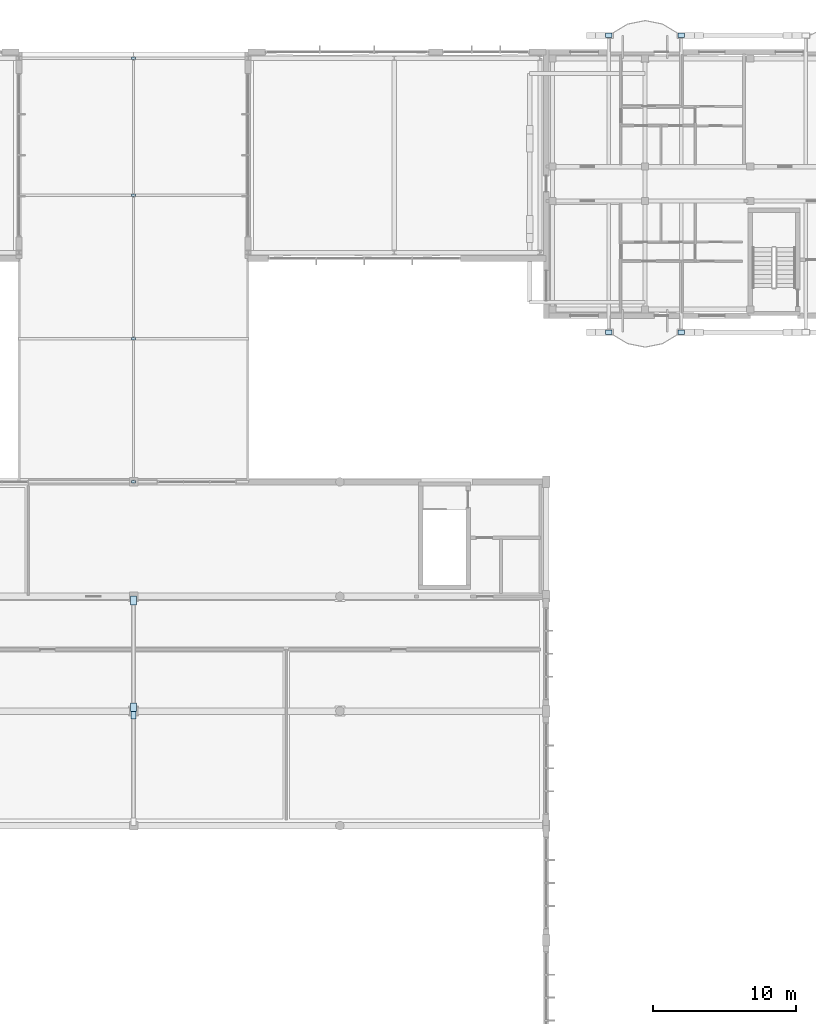
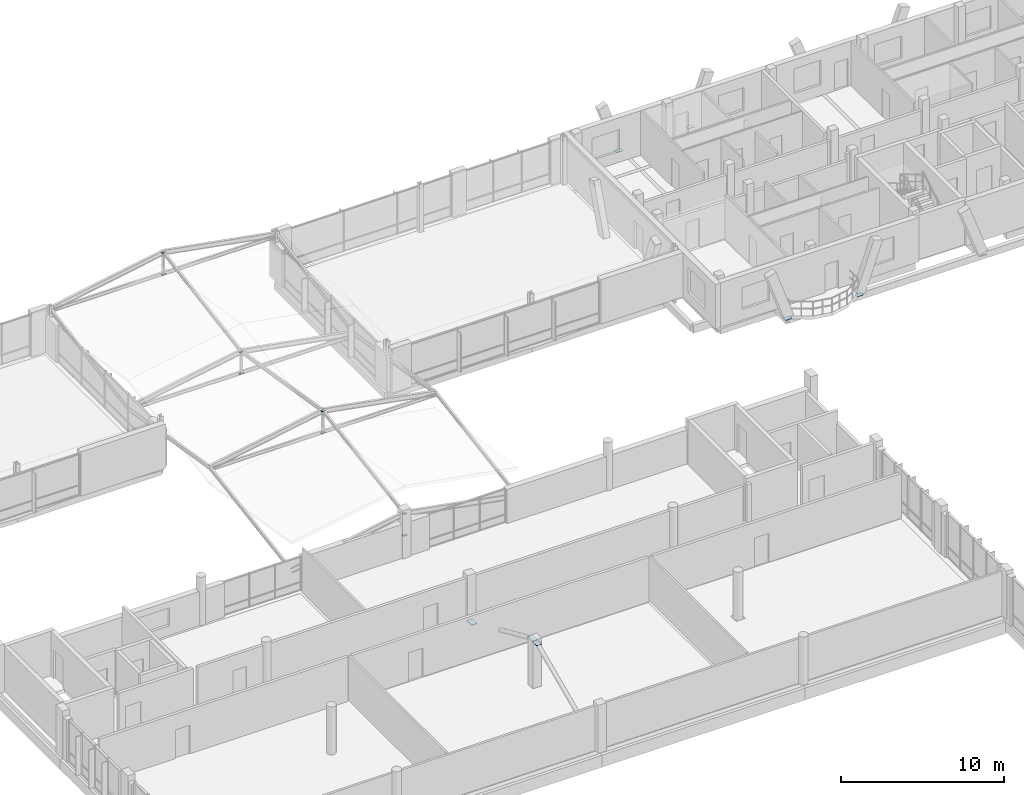
# One storey, part 138 of 189: 15 plates.
"""IFC4 building model written with IfcOpenShell, lengths in metres."""

import ifcopenshell
import ifcopenshell.guid

model = None  # the IFC model being written
_history = None  # IfcOwnerHistory: only IFC2X3 demands one
_inside = {}  # id of a spatial element -> (the spatial element, [elements in it])
_under = {}  # id of a project, library or spatial element -> (it, [spatial elements below it])
_declared = {}  # id of a project -> (the project, [libraries it declares])
_typed = {}  # id of a type object -> (the type object, [elements of that type])
_made_of = {}  # id of a material, layer set ... -> (it, [elements and type objects made of it])


def new_model(schema):
    """Start an empty IFC model of exactly this schema.

    Asked for "IFC4X3", IfcOpenShell would pick the latest addendum, in which some entities
    have other attributes; the version numbers below select the first issue.
    IFC2X3 requires an IfcOwnerHistory on every rooted entity: one is made here for all.
    """
    global model, _history
    if schema == "IFC4X3":
        model = ifcopenshell.file(schema_version=(4, 3, 0, 0))
    else:
        model = ifcopenshell.file(schema=schema)
    _inside.clear()
    _under.clear()
    _declared.clear()
    _typed.clear()
    _made_of.clear()
    _history = None
    if model.schema == "IFC2X3":
        org = make("IfcOrganization", Name="unknown")
        user = make(
            "IfcPersonAndOrganization",
            ThePerson=make("IfcPerson", FamilyName="unknown"),
            TheOrganization=org,
        )
        app = make(
            "IfcApplication",
            ApplicationDeveloper=org,
            Version="unknown",
            ApplicationFullName="unknown",
            ApplicationIdentifier="unknown",
        )
        _history = make(
            "IfcOwnerHistory",
            OwningUser=user,
            OwningApplication=app,
            ChangeAction="ADDED",
            CreationDate=0,
        )
    return model


def make(cls, **values):
    """One entity of the class cls with the attributes given. An attribute that is None is left unset."""
    return model.create_entity(
        cls, **{name: value for name, value in values.items() if value is not None}
    )


def rooted(cls, **values):
    """An entity with a GlobalId (a new one), such as an element, a storey or a relation."""
    return make(cls, GlobalId=ifcopenshell.guid.new(), OwnerHistory=_history, **values)


def si_unit(unit_type, name, prefix=None):
    """IfcSIUnit, for example si_unit("LENGTHUNIT", "METRE", prefix="MILLI")."""
    return make("IfcSIUnit", UnitType=unit_type, Prefix=prefix, Name=name)


def assignment(units):
    """IfcUnitAssignment: the units of a project."""
    return None if units is None else make("IfcUnitAssignment", Units=units)


def point(xyz):
    """IfcCartesianPoint."""
    return None if xyz is None else make("IfcCartesianPoint", Coordinates=xyz)


def direction(xyz):
    """IfcDirection."""
    return None if xyz is None else make("IfcDirection", DirectionRatios=xyz)


def frame(location, z_axis=None, x_axis=None):
    """IfcAxis2Placement3D, a coordinate frame: its origin and axes. An axis left out is left unset."""
    return make(
        "IfcAxis2Placement3D",
        Location=point(location),
        Axis=direction(z_axis),
        RefDirection=direction(x_axis),
    )


def frame_2d(location, x_axis=None):
    """IfcAxis2Placement2D, a coordinate frame in the plane: its origin and x axis."""
    return make(
        "IfcAxis2Placement2D", Location=point(location), RefDirection=direction(x_axis)
    )


def origin():
    """The frame at (0, 0, 0) with its axes left unset."""
    return frame((0.0, 0.0, 0.0))


def origin_2d():
    """The frame at (0, 0) in the plane with its x axis left unset."""
    return frame_2d((0.0, 0.0))


def place(relative_to, where):
    """IfcLocalPlacement: puts the frame where relative to a parent placement (None: the world)."""
    return make(
        "IfcLocalPlacement", PlacementRelTo=relative_to, RelativePlacement=where
    )


def context(
    kind, dimensions, precision=None, world=None, true_north=None, identifier=None
):
    """IfcGeometricRepresentationContext, for example the 3D "Model" context."""
    return make(
        "IfcGeometricRepresentationContext",
        ContextIdentifier=identifier,
        ContextType=kind,
        CoordinateSpaceDimension=dimensions,
        Precision=precision,
        WorldCoordinateSystem=world,
        TrueNorth=true_north,
    )


def subcontext(parent, identifier, kind, view, scale=None):
    """IfcGeometricRepresentationSubContext, for example "Body" below "Model"."""
    return make(
        "IfcGeometricRepresentationSubContext",
        ContextIdentifier=identifier,
        ContextType=kind,
        ParentContext=parent,
        TargetScale=scale,
        TargetView=view,
    )


def project(units=None, contexts=None):
    """IfcProject with its units and contexts."""
    return rooted(
        "IfcProject",
        Name="project",
        RepresentationContexts=contexts,
        UnitsInContext=assignment(units),
    )


def spatial(cls, under=None, at=None, **own):
    """A site, building, storey or space (cls), placed at a placement, below another one or the project."""
    s = rooted(cls, ObjectPlacement=at, **own)
    if under is not None:
        _under.setdefault(under.id(), (under, []))[1].append(s)
    return s


def profile(cls, at=None, kind="AREA", **sizes):
    """A parametric profile (cls). Its sizes go by their IFC names, for example OverallWidth=200.0."""
    return make(cls, ProfileType=kind, Position=at, **sizes)


def rectangle(**sizes):
    """IfcRectangleProfileDef."""
    return profile("IfcRectangleProfileDef", **sizes)


def extrude(swept, where, along, depth):
    """IfcExtrudedAreaSolid: the profile swept, set in the frame where, extruded along a direction by depth."""
    return make(
        "IfcExtrudedAreaSolid",
        SweptArea=swept,
        Position=where,
        ExtrudedDirection=direction(along),
        Depth=depth,
    )


def shape(context_of_items, identifier, shape_type, items):
    """IfcShapeRepresentation: the items that make up one representation, for example the "Body"."""
    return make(
        "IfcShapeRepresentation",
        ContextOfItems=context_of_items,
        RepresentationIdentifier=identifier,
        RepresentationType=shape_type,
        Items=items,
    )


def material(Name=None, Category=None):
    """IfcMaterial."""
    return make("IfcMaterial", Name=Name, Category=Category)


def layer(
    of_material, thickness, ventilated=None, Name=None, Category=None, Priority=None
):
    """IfcMaterialLayer: one layer of a wall or slab, of a material (None: an air gap)."""
    return make(
        "IfcMaterialLayer",
        Material=of_material,
        LayerThickness=thickness,
        IsVentilated=ventilated,
        Name=Name,
        Category=Category,
        Priority=Priority,
    )


def layer_set(layers, Name=None):
    """IfcMaterialLayerSet."""
    return make("IfcMaterialLayerSet", MaterialLayers=layers, LayerSetName=Name)


def made_of(thing, what):
    """Note that an element or type object is made of a material, layer set ...; save() writes the relation."""
    if what is not None:
        _made_of.setdefault(what.id(), (what, []))[1].append(thing)
    return thing


def type_object(cls, material=None, **own):
    """A type object (cls), such as IfcWallType, which elements share."""
    return made_of(rooted(cls, **own), material)


def element(
    cls,
    number,
    at=None,
    inside=None,
    cuts=None,
    type_object=None,
    material=None,
    context=None,
    identifier="Body",
    shape_type=None,
    held_by="IfcProductDefinitionShape",
    body=None,
    shapes=None,
    **own,
):
    """One element of the class cls, such as IfcWall. Its Tag is "e" and its number.

    at: its placement. inside: the storey or other place that contains it. cuts: it is an
    opening in that element (IfcRelVoidsElement). A single representation is given by context,
    identifier, shape_type and body (its items); several are given by shapes. held_by: the class
    of the entity that holds the representations. save() writes the other relations.
    """
    e = rooted(cls, Tag="e%d" % number, ObjectPlacement=at, **own)
    if body is not None:
        shapes = [shape(context, identifier, shape_type, body)]
    if shapes is not None:
        e.Representation = make(held_by, Representations=shapes)
    if inside is not None:
        _inside.setdefault(inside.id(), (inside, []))[1].append(e)
    if cuts is not None:
        rooted(
            "IfcRelVoidsElement", RelatingBuildingElement=cuts, RelatedOpeningElement=e
        )
    if type_object is not None:
        _typed.setdefault(type_object.id(), (type_object, []))[1].append(e)
    return made_of(e, material)


def aggregate(whole, parts):
    """IfcRelAggregates: a whole, such as a stair, and the parts it consists of."""
    return rooted("IfcRelAggregates", RelatingObject=whole, RelatedObjects=parts)


def save(model, path):
    """Write the relations noted so far, then the file.

    IfcRelAggregates (storeys below a building ...), IfcRelContainedInSpatialStructure (elements
    in a storey), IfcRelDefinesByType, IfcRelAssociatesMaterial and IfcRelDeclares: one each for
    every whole, place, type object, material and project.
    """
    for whole, parts in _under.values():
        aggregate(whole, parts)
    for where, things in _inside.values():
        rooted(
            "IfcRelContainedInSpatialStructure",
            RelatedElements=things,
            RelatingStructure=where,
        )
    for kind, things in _typed.values():
        rooted("IfcRelDefinesByType", RelatedObjects=things, RelatingType=kind)
    for what, things in _made_of.values():
        rooted("IfcRelAssociatesMaterial", RelatedObjects=things, RelatingMaterial=what)
    for by, libraries in _declared.values():
        rooted("IfcRelDeclares", RelatingContext=by, RelatedDefinitions=libraries)
    model.write(path)


model = new_model("IFC4")

# Units and contexts
model_context = context("Model", 3, precision=1e-05, world=origin(), true_north=direction((0.0, 1.0)))
body_context = subcontext(model_context, "Body", "Model", "MODEL_VIEW")
ifc_project = project(units=[si_unit("LENGTHUNIT", "METRE"), si_unit("AREAUNIT", "SQUARE_METRE"), si_unit("VOLUMEUNIT", "CUBIC_METRE"), si_unit("PLANEANGLEUNIT", "RADIAN"), si_unit("MASSUNIT", "GRAM", prefix="KILO")], contexts=[model_context])

# Site, building, storey
site_placement = place(None, origin())
site = spatial("IfcSite", under=ifc_project, at=site_placement, CompositionType="ELEMENT")
building_placement = place(site_placement, origin())
building = spatial("IfcBuilding", under=site, at=building_placement, Name="Zavelmont Quarter", CompositionType="ELEMENT")
storey_placement = place(building_placement, frame((0.0, 0.0, 4.39990234375)))
storey = spatial("IfcBuildingStorey", under=building, at=storey_placement, Name="L01", CompositionType="ELEMENT", Elevation=4.39990234375)

# Plates
ifc_material = material(Name="Steel S355", Category="steel")
ifc_layer_1 = layer(ifc_material, 0.02001953125)
ifc_layer_set_1 = layer_set([ifc_layer_1], Name="Steel S355")
plate_type_1 = type_object("IfcPlateType", Name="NP01", PredefinedType="SHEET", material=ifc_layer_set_1)
for number, where, z_axis, x_axis, name in (
    (1, (84.0, 86.0, 1.510009765625), (0.0, 0.0, 1.0), (1.0, 0.0, 0.0), "L01 steel connection plate NP01 at 13/N"),
    (2, (84.0, 86.0, 3.14013671875), (0.0, 0.0, 1.0), (1.0, 0.0, 0.0), "L01 steel connection plate NP01 at 13/N"),
    (3, (84.0, 96.0, 3.130126953125), (0.0, 0.0, 1.0), (1.0, 0.0, 0.0), "L01 steel connection plate NP01 at 13/P"),
    (4, (84.0, 96.0, 4.760009765625), (0.0, 0.0, 1.0), (1.0, 0.0, 0.0), "L01 steel connection plate NP01 at 13/P"),
    (5, (84.0, 106.0, 1.510009765625), (0.0, 0.0, 1.0), (1.0, 0.0, 0.0), "L01 steel connection plate NP01 at 13/Q"),
    (6, (84.0, 106.0, 3.14013671875), (0.0, 0.0, 1.0), (1.0, 0.0, 0.0), "L01 steel connection plate NP01 at 13/Q"),
    (7, (84.0, 115.56005859375, 3.130126953125), (0.0, 0.0, 1.0), (1.0, 0.0, 0.0), "L01 steel connection plate NP01 at 13/S"),
    (8, (84.0, 115.56005859375, 4.760009765625), (0.0, 0.0, 1.0), (1.0, 0.0, 0.0), "L01 steel connection plate NP01 at 13/S"),
):
    element("IfcPlate", number, at=place(storey_placement, frame(where, z_axis=z_axis, x_axis=x_axis)), inside=storey, type_object=plate_type_1, Name=name, PredefinedType="SHEET", context=body_context, shape_type="SweptSolid", body=[
        extrude(rectangle(XDim=0.280029296875, YDim=0.179931640625, at=origin_2d()), origin(), (0.0, 0.0, 1.0), 0.02001953125),
    ])
ifc_layer_2 = layer(ifc_material, 0.02490234375)
ifc_layer_set_2 = layer_set([ifc_layer_2], Name="Steel S355")
plate_type_2 = type_object("IfcPlateType", Name="NP03", PredefinedType="SHEET", material=ifc_layer_set_2)
for number, where, z_axis, x_axis, name in (
    (9, (117.17333984375, 117.162109375, -0.21240234375), (0.0, 0.0, 1.0), (1.0, 0.0, 0.0), "L01 steel connection plate NP03 at 18/S"),
    (10, (122.2265625, 117.162109375, -0.21240234375), (0.0, 0.0, 1.0), (1.0, 0.0, 0.0), "L01 steel connection plate NP03 at 18/S"),
    (11, (117.17333984375, 96.43798828125, -0.21240234375), (0.0, 0.0, 1.0), (1.0, 0.0, 0.0), "L01 steel connection plate NP03 at 18/P"),
    (12, (122.2265625, 96.43798828125, -0.21240234375), (0.0, 0.0, 1.0), (1.0, 0.0, 0.0), "L01 steel connection plate NP03 at 18/P"),
):
    element("IfcPlate", number, at=place(storey_placement, frame(where, z_axis=z_axis, x_axis=x_axis)), inside=storey, type_object=plate_type_2, Name=name, PredefinedType="SHEET", context=body_context, shape_type="SweptSolid", body=[
        extrude(rectangle(XDim=0.43994140625, YDim=0.320068359375, at=origin_2d()), origin(), (0.0, 0.0, 1.0), 0.02490234375),
    ])
ifc_layer_3 = layer(ifc_material, 0.028076171875)
ifc_layer_set_3 = layer_set([ifc_layer_3], Name="Steel S355")
plate_type_3 = type_object("IfcPlateType", Name="NP04", PredefinedType="SHEET", material=ifc_layer_set_3)
plate_placement = place(storey_placement, frame((84.0, 69.719970703125, 3.2958984375), z_axis=(0.0, 0.0, 1.0), x_axis=(0.0, 1.0, 0.0)))
element("IfcPlate", 13, at=plate_placement, inside=storey, type_object=plate_type_3, Name="L01 steel connection plate NP04 at 13/L", PredefinedType="SHEET", context=body_context, shape_type="SweptSolid", body=[
    extrude(rectangle(XDim=0.52001953125, YDim=0.360107421875, at=origin_2d()), origin(), (0.0, 0.0, 1.0), 0.028076171875),
])
ifc_layer_4 = layer(ifc_material, 0.030029296875)
ifc_layer_set_4 = layer_set([ifc_layer_4], Name="Steel S355")
plate_type_4 = type_object("IfcPlateType", Name="NP05", PredefinedType="SHEET", material=ifc_layer_set_4)
for number, where, z_axis, x_axis, name in (
    (14, (84.0, 70.280029296875, 3.294921875), (0.0, 0.0, 1.0), (0.0, 1.0, 0.0), "L01 steel connection plate NP05 at 13/L"),
    (15, (84.0, 77.719970703125, 0.0048828125), (0.0, 0.0, 1.0), (0.0, 1.0, 0.0), "L01 steel connection plate NP05 at 13/M"),
):
    element("IfcPlate", number, at=place(storey_placement, frame(where, z_axis=z_axis, x_axis=x_axis)), inside=storey, type_object=plate_type_4, Name=name, PredefinedType="SHEET", context=body_context, shape_type="SweptSolid", body=[
        extrude(rectangle(XDim=0.60009765625, YDim=0.39990234375, at=origin_2d()), origin(), (0.0, 0.0, 1.0), 0.030029296875),
    ])

save(model, "model.ifc")
